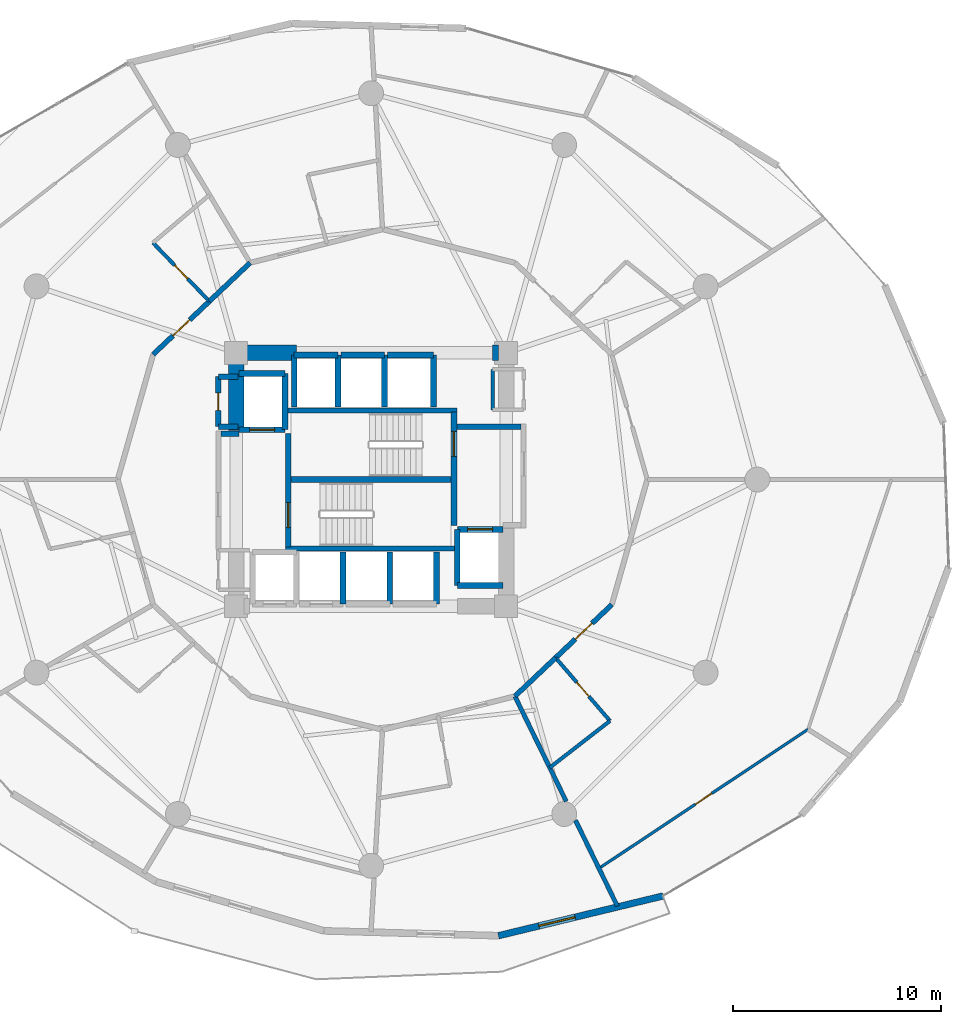
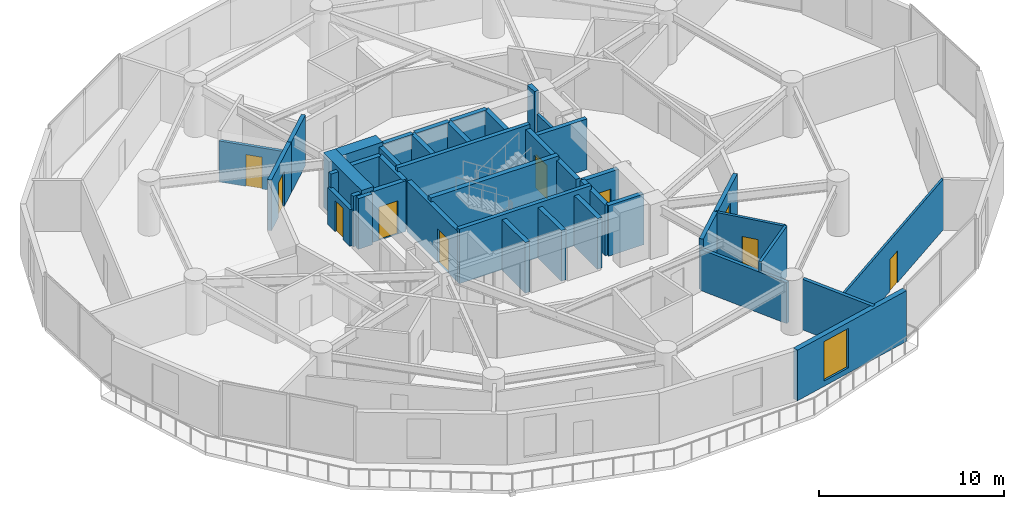
# One storey, part 18 of 23: 41 walls, 10 doors, 1 window, 11 openings.
"""IFC4 building model written with IfcOpenShell, lengths in metres."""

from ifc_helpers import new_model, si_unit, direction, frame, frame_2d, origin, place, context, subcontext, project, spatial, rectangle, extrude, material, layer, layer_set, type_object, element, fill, save


model = new_model("IFC4")

# Units and contexts
model_context = context("Model", 3, precision=1e-05, world=origin(), true_north=direction((0.0, 1.0)))
body_context = subcontext(model_context, "Body", "Model", "MODEL_VIEW")
ifc_project = project(units=[si_unit("LENGTHUNIT", "METRE"), si_unit("AREAUNIT", "SQUARE_METRE"), si_unit("VOLUMEUNIT", "CUBIC_METRE"), si_unit("PLANEANGLEUNIT", "RADIAN"), si_unit("MASSUNIT", "GRAM", prefix="KILO")], contexts=[model_context])

# Site, building, storey
site_placement = place(None, origin())
site = spatial("IfcSite", under=ifc_project, at=site_placement, CompositionType="ELEMENT")
building_placement = place(site_placement, origin())
building = spatial("IfcBuilding", under=site, at=building_placement, Name="Solvirekh Grand Hotel", CompositionType="ELEMENT")
storey_placement = place(building_placement, frame((0.0, 0.0, 42.800048828125)))
storey = spatial("IfcBuildingStorey", under=building, at=storey_placement, Name="L09", CompositionType="ELEMENT", Elevation=42.800048828125)

# Walls
ifc_material_1 = material(Name="Concrete C50/60", Category="concrete")
ifc_layer_1 = layer(ifc_material_1, 0.35009765625)
ifc_layer_set_1 = layer_set([ifc_layer_1], Name="Concrete C50/60")
wall_type_1 = type_object("IfcWallType", Name="CoreDivWall_RC350", PredefinedType="SOLIDWALL", material=ifc_layer_set_1)
for number, where, z_axis, x_axis, name in (
    (1, (-4.1298828125, -3.324951171875, 0.0), (0.0, 0.0, 1.0), (1.0, 0.0, 0.0), "L09 core stair box wall ST-S"),
    (2, (-4.1298828125, 3.324951171875, 0.0), (0.0, 0.0, 1.0), (1.0, 0.0, 0.0), "L09 core stair box wall ST-N"),
):
    element("IfcWall", number, at=place(storey_placement, frame(where, z_axis=z_axis, x_axis=x_axis)), inside=storey, type_object=wall_type_1, Name=name, PredefinedType="SOLIDWALL", context=body_context, shape_type="SweptSolid", body=[
        extrude(rectangle(XDim=8.259765625, YDim=0.25, at=frame_2d((4.1298828125, 0.0))), origin(), (0.0, 0.0, 1.0), 3.599853515625),
    ])
ifc_material_2 = material(Name="Concrete C40/50", Category="concrete")
ifc_layer_2 = layer(ifc_material_2, 0.280029296875)
ifc_layer_set_2 = layer_set([ifc_layer_2], Name="Concrete C40/50")
wall_type_2 = type_object("IfcWallType", Name="CoreShaftWall_RC280", PredefinedType="SOLIDWALL", material=ifc_layer_set_2)
for number, where, z_axis, x_axis, name in (
    (3, (-1.35009765625, -6.0, 0.0), (0.0, 0.0, 1.0), (0.0, 1.0, 0.0), "L09 LP-2 hoistway E wall"),
    (4, (0.89990234375, -6.0, 0.0), (0.0, 0.0, 1.0), (0.0, 1.0, 0.0), "L09 MP-1 hoistway E wall"),
    (5, (3.14990234375, -6.0, 0.0), (0.0, 0.0, 1.0), (0.0, 1.0, 0.0), "L09 MP-2 hoistway E wall"),
):
    element("IfcWall", number, at=place(storey_placement, frame(where, z_axis=z_axis, x_axis=x_axis)), inside=storey, type_object=wall_type_2, Name=name, PredefinedType="SOLIDWALL", context=body_context, shape_type="SweptSolid", body=[
        extrude(rectangle(XDim=2.5, YDim=0.280029296875, at=frame_2d((1.25, 0.0))), origin(), (0.0, 0.0, 1.0), 3.33984375),
    ])
wall_1_placement = place(storey_placement, frame((-1.60009765625, 6.0, 0.0), z_axis=(0.0, 0.0, 1.0), x_axis=(-1.0, 0.0, 0.0)))
element("IfcWall", 6, at=wall_1_placement, inside=storey, type_object=wall_type_2, Name="L09 HP-1 hoistway N wall", PredefinedType="SOLIDWALL", context=body_context, shape_type="SweptSolid", body=[
    extrude(rectangle(XDim=2.099853515625, YDim=0.280029296875, at=frame_2d((1.0498046875, 0.0))), origin(), (0.0, 0.0, 1.0), 3.33984375),
])
for number, where, z_axis, x_axis, name in (
    (7, (-3.699951171875, 6.0, 0.0), (0.0, 0.0, 1.0), (0.0, -1.0, 0.0), "L09 HP-1 hoistway W wall"),
    (8, (-1.60009765625, 3.5, 0.0), (0.0, 0.0, 1.0), (0.0, 1.0, 0.0), "L09 HP-1 hoistway E wall"),
):
    element("IfcWall", number, at=place(storey_placement, frame(where, z_axis=z_axis, x_axis=x_axis)), inside=storey, type_object=wall_type_2, Name=name, PredefinedType="SOLIDWALL", context=body_context, shape_type="SweptSolid", body=[
        extrude(rectangle(XDim=2.5, YDim=0.280029296875, at=frame_2d((1.25, 0.0))), origin(), (0.0, 0.0, 1.0), 3.33984375),
    ])
wall_2_placement = place(storey_placement, frame((0.64990234375, 6.0, 0.0), z_axis=(0.0, 0.0, 1.0), x_axis=(-1.0, 0.0, 0.0)))
element("IfcWall", 9, at=wall_2_placement, inside=storey, type_object=wall_type_2, Name="L09 HP-2 hoistway N wall", PredefinedType="SOLIDWALL", context=body_context, shape_type="SweptSolid", body=[
    extrude(rectangle(XDim=2.099853515625, YDim=0.280029296875, at=frame_2d((1.0498046875, 0.0))), origin(), (0.0, 0.0, 1.0), 3.33984375),
])
wall_3_placement = place(storey_placement, frame((0.64990234375, 3.5, 0.0), z_axis=(0.0, 0.0, 1.0), x_axis=(0.0, 1.0, 0.0)))
element("IfcWall", 10, at=wall_3_placement, inside=storey, type_object=wall_type_2, Name="L09 HP-2 hoistway E wall", PredefinedType="SOLIDWALL", context=body_context, shape_type="SweptSolid", body=[
    extrude(rectangle(XDim=2.5, YDim=0.280029296875, at=frame_2d((1.25, 0.0))), origin(), (0.0, 0.0, 1.0), 3.33984375),
])
wall_4_placement = place(storey_placement, frame((3.0, 6.0, 0.0), z_axis=(0.0, 0.0, 1.0), x_axis=(-1.0, 0.0, 0.0)))
element("IfcWall", 11, at=wall_4_placement, inside=storey, type_object=wall_type_2, Name="L09 EX-1 hoistway N wall", PredefinedType="SOLIDWALL", context=body_context, shape_type="SweptSolid", body=[
    extrude(rectangle(XDim=2.199951171875, YDim=0.280029296875, at=frame_2d((1.10009765625, 0.0))), origin(), (0.0, 0.0, 1.0), 3.33984375),
])
wall_5_placement = place(storey_placement, frame((3.0, 3.5, 0.0), z_axis=(0.0, 0.0, 1.0), x_axis=(0.0, 1.0, 0.0)))
element("IfcWall", 12, at=wall_5_placement, inside=storey, type_object=wall_type_2, Name="L09 EX-1 hoistway E wall", PredefinedType="SOLIDWALL", context=body_context, shape_type="SweptSolid", body=[
    extrude(rectangle(XDim=2.5, YDim=0.280029296875, at=frame_2d((1.25, 0.0))), origin(), (0.0, 0.0, 1.0), 3.33984375),
])

# Wall, opening, door
wall_6_placement = place(storey_placement, frame((-6.35009765625, 2.39990234375, 0.0), z_axis=(0.0, 0.0, 1.0), x_axis=(1.0, 0.0, 0.0)))
wall_6 = element("IfcWall", 13, at=wall_6_placement, inside=storey, type_object=wall_type_2, Name="L09 FL-1 hoistway S wall", PredefinedType="SOLIDWALL", context=body_context, shape_type="SweptSolid", body=[
    extrude(rectangle(XDim=2.2001953125, YDim=0.280029296875, at=frame_2d((1.10009765625, 0.0))), origin(), (0.0, 0.0, 1.0), 3.33984375),
])
opening_1_placement = place(wall_6_placement, frame((0.5, 0.0, 0.0)))
opening_1 = element("IfcOpeningElement", 14, at=opening_1_placement, cuts=wall_6, Name="Opening LD02", PredefinedType="OPENING", context=body_context, shape_type="SweptSolid", body=[
    extrude(rectangle(XDim=1.199951171875, YDim=2.199951171875, at=frame_2d((0.60009765625, 1.10009765625))), frame((0.0, 0.14990234375, 0.0), z_axis=(0.0, -1.0, 0.0), x_axis=(1.0, 0.0, 0.0)), (0.0, 0.0, 1.0), 0.300048828125),
])
ifc_material_3 = material(Name="Fire-Rated Steel Door Assembly", Category="steel")
door_type_1 = type_object("IfcDoorType", Name="Door_LiftFF_1200X2200", OperationType="SLIDING_TO_LEFT", PredefinedType="DOOR", material=ifc_material_3)
door_1_placement = place(opening_1_placement, origin())
door_1 = element("IfcDoor", 15, at=door_1_placement, inside=storey, type_object=door_type_1, Name="L09 FL-1 sliding lift landing door", OperationType="SLIDING_TO_LEFT", OverallHeight=2.199951171875, OverallWidth=1.199951171875, PredefinedType="DOOR", context=body_context, shape_type="SweptSolid", body=[
    extrude(rectangle(XDim=1.199951171875, YDim=2.199951171875, at=frame_2d((0.60009765625, 1.10009765625))), frame((0.0, 0.02490234375, 0.0), z_axis=(0.0, -1.0, 0.0), x_axis=(1.0, 0.0, 0.0)), (0.0, 0.0, 1.0), 0.050048828125),
])
fill(opening_1, door_1)

# Walls
wall_7_placement = place(storey_placement, frame((-4.14990234375, 5.10009765625, 0.0), z_axis=(0.0, 0.0, 1.0), x_axis=(-1.0, 0.0, 0.0)))
element("IfcWall", 16, at=wall_7_placement, inside=storey, type_object=wall_type_2, Name="L09 FL-1 hoistway N wall", PredefinedType="SOLIDWALL", context=body_context, shape_type="SweptSolid", body=[
    extrude(rectangle(XDim=2.2001953125, YDim=0.280029296875, at=frame_2d((1.10009765625, 0.0))), origin(), (0.0, 0.0, 1.0), 3.33984375),
])
wall_8_placement = place(storey_placement, frame((-4.14990234375, 2.39990234375, 0.0), z_axis=(0.0, 0.0, 1.0), x_axis=(0.0, 1.0, 0.0)))
element("IfcWall", 17, at=wall_8_placement, inside=storey, type_object=wall_type_2, Name="L09 FL-1 hoistway E wall", PredefinedType="SOLIDWALL", context=body_context, shape_type="SweptSolid", body=[
    extrude(rectangle(XDim=2.7001953125, YDim=0.280029296875, at=frame_2d((1.35009765625, 0.0))), origin(), (0.0, 0.0, 1.0), 3.33984375),
])
wall_9_placement = place(storey_placement, frame((4.14990234375, -5.10009765625, 0.0), z_axis=(0.0, 0.0, 1.0), x_axis=(1.0, 0.0, 0.0)))
element("IfcWall", 18, at=wall_9_placement, inside=storey, type_object=wall_type_2, Name="L09 FL-2 hoistway S wall", PredefinedType="SOLIDWALL", context=body_context, shape_type="SweptSolid", body=[
    extrude(rectangle(XDim=2.2001953125, YDim=0.280029296875, at=frame_2d((1.10009765625, 0.0))), origin(), (0.0, 0.0, 1.0), 3.33984375),
])

# Wall, opening, door
wall_10_placement = place(storey_placement, frame((6.35009765625, -2.39990234375, 0.0), z_axis=(0.0, 0.0, 1.0), x_axis=(-1.0, 0.0, 0.0)))
wall_10 = element("IfcWall", 19, at=wall_10_placement, inside=storey, type_object=wall_type_2, Name="L09 FL-2 hoistway N wall", PredefinedType="SOLIDWALL", context=body_context, shape_type="SweptSolid", body=[
    extrude(rectangle(XDim=2.2001953125, YDim=0.280029296875, at=frame_2d((1.10009765625, 0.0))), origin(), (0.0, 0.0, 1.0), 3.33984375),
])
opening_2_placement = place(wall_10_placement, frame((0.5, 0.0, 0.0)))
opening_2 = element("IfcOpeningElement", 20, at=opening_2_placement, cuts=wall_10, Name="Opening LD02", PredefinedType="OPENING", context=body_context, shape_type="SweptSolid", body=[
    extrude(rectangle(XDim=1.199951171875, YDim=2.199951171875, at=frame_2d((0.60009765625, 1.10009765625))), frame((0.0, 0.14990234375, 0.0), z_axis=(0.0, -1.0, 0.0), x_axis=(1.0, 0.0, 0.0)), (0.0, 0.0, 1.0), 0.300048828125),
])
door_2_placement = place(opening_2_placement, origin())
door_2 = element("IfcDoor", 21, at=door_2_placement, inside=storey, type_object=door_type_1, Name="L09 FL-2 sliding lift landing door", OperationType="SLIDING_TO_LEFT", OverallHeight=2.199951171875, OverallWidth=1.199951171875, PredefinedType="DOOR", context=body_context, shape_type="SweptSolid", body=[
    extrude(rectangle(XDim=1.199951171875, YDim=2.199951171875, at=frame_2d((0.60009765625, 1.10009765625))), frame((0.0, 0.02490234375, 0.0), z_axis=(0.0, -1.0, 0.0), x_axis=(1.0, 0.0, 0.0)), (0.0, 0.0, 1.0), 0.050048828125),
])
fill(opening_2, door_2)

# Wall
wall_11_placement = place(storey_placement, frame((4.14990234375, -2.39990234375, 0.0), z_axis=(0.0, 0.0, 1.0), x_axis=(0.0, -1.0, 0.0)))
element("IfcWall", 22, at=wall_11_placement, inside=storey, type_object=wall_type_2, Name="L09 FL-2 hoistway W wall", PredefinedType="SOLIDWALL", context=body_context, shape_type="SweptSolid", body=[
    extrude(rectangle(XDim=2.7001953125, YDim=0.280029296875, at=frame_2d((1.35009765625, 0.0))), origin(), (0.0, 0.0, 1.0), 3.33984375),
])

# Wall, opening, door
wall_12_placement = place(storey_placement, frame((-3.989990234375, -3.25, 0.0), z_axis=(0.0, 0.0, 1.0), x_axis=(0.0, 1.0, 0.0)))
wall_12 = element("IfcWall", 23, at=wall_12_placement, inside=storey, type_object=wall_type_2, Name="L09 west stair landing enclosure wall", PredefinedType="SOLIDWALL", context=body_context, shape_type="SweptSolid", body=[
    extrude(rectangle(XDim=5.4599609375, YDim=0.280029296875, at=frame_2d((2.72998046875, 0.0))), origin(), (0.0, 0.0, 1.0), 3.33984375),
])
opening_3_placement = place(wall_12_placement, frame((0.93701171875, 0.0, 0.0)))
opening_3 = element("IfcOpeningElement", 24, at=opening_3_placement, cuts=wall_12, Name="Opening D05", PredefinedType="OPENING", context=body_context, shape_type="SweptSolid", body=[
    extrude(rectangle(XDim=1.199951171875, YDim=2.199951171875, at=frame_2d((0.60009765625, 1.10009765625))), frame((0.0, 0.14990234375, 0.0), z_axis=(0.0, -1.0, 0.0), x_axis=(1.0, 0.0, 0.0)), (0.0, 0.0, 1.0), 0.300048828125),
])
door_type_2 = type_object("IfcDoorType", Name="Door_StairCore_1200X2200", OperationType="NOTDEFINED", PredefinedType="DOOR", material=ifc_material_3)
door_3_placement = place(opening_3_placement, origin())
door_3 = element("IfcDoor", 25, at=door_3_placement, inside=storey, type_object=door_type_2, Name="L09 exit stair ST-1 fire door", OperationType="SINGLE_SWING_RIGHT", OverallHeight=2.199951171875, OverallWidth=1.199951171875, PredefinedType="DOOR", context=body_context, shape_type="SweptSolid", body=[
    extrude(rectangle(XDim=1.199951171875, YDim=2.199951171875, at=frame_2d((0.60009765625, 1.10009765625))), frame((0.0, 0.02490234375, 0.0), z_axis=(0.0, -1.0, 0.0), x_axis=(1.0, 0.0, 0.0)), (0.0, 0.0, 1.0), 0.050048828125),
])
fill(opening_3, door_3)

wall_13_placement = place(storey_placement, frame((3.989990234375, -2.2099609375, 0.0), z_axis=(0.0, 0.0, 1.0), x_axis=(0.0, 1.0, 0.0)))
wall_13 = element("IfcWall", 26, at=wall_13_placement, inside=storey, type_object=wall_type_2, Name="L09 east stair landing enclosure wall", PredefinedType="SOLIDWALL", context=body_context, shape_type="SweptSolid", body=[
    extrude(rectangle(XDim=5.4599609375, YDim=0.280029296875, at=frame_2d((2.72998046875, 0.0))), origin(), (0.0, 0.0, 1.0), 3.33984375),
])
opening_4_placement = place(wall_13_placement, frame((3.322998046875, 0.0, 0.0)))
opening_4 = element("IfcOpeningElement", 27, at=opening_4_placement, cuts=wall_13, Name="Opening D05", PredefinedType="OPENING", context=body_context, shape_type="SweptSolid", body=[
    extrude(rectangle(XDim=1.199951171875, YDim=2.199951171875, at=frame_2d((0.60009765625, 1.10009765625))), frame((0.0, 0.14990234375, 0.0), z_axis=(0.0, -1.0, 0.0), x_axis=(1.0, 0.0, 0.0)), (0.0, 0.0, 1.0), 0.300048828125),
])
door_4_placement = place(opening_4_placement, origin())
door_4 = element("IfcDoor", 28, at=door_4_placement, inside=storey, type_object=door_type_2, Name="L09 exit stair ST-2 fire door", OperationType="SINGLE_SWING_LEFT", OverallHeight=2.199951171875, OverallWidth=1.199951171875, PredefinedType="DOOR", context=body_context, shape_type="SweptSolid", body=[
    extrude(rectangle(XDim=1.199951171875, YDim=2.199951171875, at=frame_2d((0.60009765625, 1.10009765625))), frame((0.0, 0.02490234375, 0.0), z_axis=(0.0, -1.0, 0.0), x_axis=(1.0, 0.0, 0.0)), (0.0, 0.0, 1.0), 0.050048828125),
])
fill(opening_4, door_4)

# Walls
ifc_material_4 = material(Name="Concrete C60/75", Category="concrete")
ifc_layer_3 = layer(ifc_material_4, 0.75)
ifc_layer_set_3 = layer_set([ifc_layer_3], Name="Concrete C60/75")
wall_type_3 = type_object("IfcWallType", Name="CoreWall_RC750", PredefinedType="SHEAR", material=ifc_layer_set_3)
wall_14_placement = place(storey_placement, frame((-3.989990234375, 0.0, 0.0), z_axis=(0.0, 0.0, 1.0), x_axis=(1.0, 0.0, 0.0)))
element("IfcWall", 29, at=wall_14_placement, inside=storey, type_object=wall_type_3, Name="L09 central stair-spine shear wall", PredefinedType="SHEAR", context=body_context, shape_type="SweptSolid", body=[
    extrude(rectangle(XDim=7.97998046875, YDim=0.300048828125, at=frame_2d((3.989990234375, 0.0))), origin(), (0.0, 0.0, 1.0), 3.599853515625),
])
wall_15_placement = place(storey_placement, frame((-6.125, 6.10009765625, 0.0), z_axis=(0.0, 0.0, 1.0), x_axis=(1.0, 0.0, 0.0)))
element("IfcWall", 30, at=wall_15_placement, inside=storey, type_object=wall_type_3, Name="L09 core corner shear wall NW-N", PredefinedType="SHEAR", context=body_context, shape_type="SweptSolid", body=[
    extrude(rectangle(XDim=2.52490234375, YDim=0.75, at=frame_2d((1.262451171875, 0.0))), origin(), (0.0, 0.0, 1.0), 3.599853515625),
])
wall_16_placement = place(storey_placement, frame((5.85009765625, 6.10009765625, 0.0), z_axis=(0.0, 0.0, 1.0), x_axis=(1.0, 0.0, 0.0)))
element("IfcWall", 31, at=wall_16_placement, inside=storey, type_object=wall_type_3, Name="L09 core corner shear wall NE-N", PredefinedType="SHEAR", context=body_context, shape_type="SweptSolid", body=[
    extrude(rectangle(XDim=0.27490234375, YDim=0.75, at=frame_2d((0.137451171875, 0.0))), origin(), (0.0, 0.0, 1.0), 3.599853515625),
])
wall_17_placement = place(storey_placement, frame((-6.5, 2.35009765625, 0.0), z_axis=(0.0, 0.0, 1.0), x_axis=(0.0, 1.0, 0.0)))
element("IfcWall", 32, at=wall_17_placement, inside=storey, type_object=wall_type_3, Name="L09 core corner shear wall WN-W", PredefinedType="SHEAR", context=body_context, shape_type="SweptSolid", body=[
    extrude(rectangle(XDim=4.125, YDim=0.75, at=frame_2d((2.0625, 0.0))), origin(), (0.0, 0.0, 1.0), 3.599853515625),
])

# Wall, opening, window
ifc_material_5 = material(Name="Precast concrete C45/55", Category="concrete")
ifc_layer_4 = layer(ifc_material_5, 0.320068359375)
ifc_layer_set_4 = layer_set([ifc_layer_4], Name="Precast concrete C45/55")
wall_type_4 = type_object("IfcWallType", Name="ExtLobbyWall_RC320", PredefinedType="SOLIDWALL", material=ifc_layer_set_4)
wall_18_placement = place(storey_placement, frame((14.054931640625, -20.052978515625, 0.0), z_axis=(0.0, 0.0, 1.0), x_axis=(-0.97202940664, -0.234859176161, 0.0)))
wall_18 = element("IfcWall", 33, at=wall_18_placement, inside=storey, type_object=wall_type_4, Name="L09 exterior structural wall chord 17", PredefinedType="SOLIDWALL", context=body_context, shape_type="SweptSolid", body=[
    extrude(rectangle(XDim=8.14990234375, YDim=0.320068359375, at=frame_2d((4.074951171875, 0.0))), origin(), (0.0, 0.0, 1.0), 3.33984375),
])
opening_5_placement = place(wall_18_placement, frame((4.34912109375, 0.0, 0.35009765625)))
opening_5 = element("IfcOpeningElement", 34, at=opening_5_placement, cuts=wall_18, Name="Opening W02", PredefinedType="OPENING", context=body_context, shape_type="SweptSolid", body=[
    extrude(rectangle(XDim=1.800048828125, YDim=2.60009765625, at=frame_2d((0.89990234375, 1.300048828125))), frame((0.0, 0.169921875, 0.0), z_axis=(0.0, -1.0, 0.0), x_axis=(1.0, 0.0, 0.0)), (0.0, 0.0, 1.0), 0.340087890625),
])
ifc_material_6 = material(Name="Low-E Tinted Bronze Laminated Glass", Category="aluminium")
window_type = type_object("IfcWindowType", Name="Win_LobbyExt_1800X2600", PartitioningType="SINGLE_PANEL", PredefinedType="WINDOW", material=ifc_material_6)
window_placement = place(opening_5_placement, origin())
window = element("IfcWindow", 35, at=window_placement, inside=storey, type_object=window_type, Name="L09 panoramic bronze-framed window 17", OverallHeight=2.60009765625, OverallWidth=1.800048828125, PartitioningType="SINGLE_PANEL", PredefinedType="WINDOW", context=body_context, shape_type="SweptSolid", body=[
    extrude(rectangle(XDim=1.800048828125, YDim=2.60009765625, at=frame_2d((0.89990234375, 1.300048828125))), frame((0.0, 0.030029296875, 0.0), z_axis=(0.0, -1.0, 0.0), x_axis=(1.0, 0.0, 0.0)), (0.0, 0.0, 1.0), 0.06005859375),
])
fill(opening_5, window)

# Walls
ifc_material_7 = material(Name="Acoustic Gypsum Partition Assembly")
ifc_layer_5 = layer(ifc_material_7, 0.1650390625)
ifc_layer_set_5 = layer_set([ifc_layer_5], Name="Acoustic Gypsum Partition Assembly")
wall_type_5 = type_object("IfcWallType", Name="Part_BOH_165", PredefinedType="PARTITIONING", material=ifc_layer_set_5)
wall_19_placement = place(storey_placement, frame((5.85009765625, 5.300048828125, 0.0), z_axis=(0.0, 0.0, 1.0), x_axis=(0.0, -1.0, 0.0)))
element("IfcWall", 36, at=wall_19_placement, inside=storey, type_object=wall_type_5, Name="L09 L09 Core Housekeeping Room wall 4", PredefinedType="PARTITIONING", context=body_context, shape_type="SweptSolid", body=[
    extrude(rectangle(XDim=1.949951171875, YDim=0.1650390625, at=frame_2d((0.97509765625, 0.0))), origin(), (0.0, 0.0, 1.0), 2.425048828125),
])
ifc_layer_6 = layer(ifc_material_7, 0.239990234375)
ifc_layer_set_6 = layer_set([ifc_layer_6], Name="Acoustic Gypsum Partition Assembly")
wall_type_6 = type_object("IfcWallType", Name="Part_Corridor_240", PredefinedType="PARTITIONING", material=ifc_layer_set_6)
wall_20_placement = place(storey_placement, frame((-5.824951171875, 10.43603515625, 0.0), z_axis=(0.0, 0.0, 1.0), x_axis=(-0.726651583854, -0.687006168591, 0.0)))
element("IfcWall", 37, at=wall_20_placement, inside=storey, type_object=wall_type_6, Name="L09 En-suite Bathroom 1103 corridor backing wall", PredefinedType="PARTITIONING", context=body_context, shape_type="SweptSolid", body=[
    extrude(rectangle(XDim=2.697265625, YDim=0.239990234375, at=frame_2d((1.3486328125, 0.0))), origin(), (0.0, 0.0, 1.0), 3.33984375),
])

# Wall, opening, door
wall_21_placement = place(storey_placement, frame((-7.784912109375, 8.5830078125, 0.0), z_axis=(0.0, 0.0, 1.0), x_axis=(-0.726816794063, -0.686831382413, 0.0)))
wall_21 = element("IfcWall", 38, at=wall_21_placement, inside=storey, type_object=wall_type_6, Name="L09 Executive Suite 1103 Living Room entrance wall", PredefinedType="PARTITIONING", context=body_context, shape_type="SweptSolid", body=[
    extrude(rectangle(XDim=3.724609375, YDim=0.239990234375, at=frame_2d((1.8623046875, 0.0))), origin(), (0.0, 0.0, 1.0), 3.33984375),
])
opening_6_placement = place(wall_21_placement, frame((1.31201171875, 0.0, 0.0)))
opening_6 = element("IfcOpeningElement", 39, at=opening_6_placement, cuts=wall_21, Name="Opening D08", PredefinedType="OPENING", context=body_context, shape_type="SweptSolid", body=[
    extrude(rectangle(XDim=1.10009765625, YDim=2.300048828125, at=frame_2d((0.550048828125, 1.14990234375))), frame((0.0, 0.1298828125, 0.0), z_axis=(0.0, -1.0, 0.0), x_axis=(1.0, 0.0, 0.0)), (0.0, 0.0, 1.0), 0.260009765625),
])
door_type_3 = type_object("IfcDoorType", Name="Door_SuiteEntry_1100X2300", OperationType="NOTDEFINED", PredefinedType="DOOR", material=ifc_material_3)
door_5_placement = place(opening_6_placement, origin())
door_5 = element("IfcDoor", 40, at=door_5_placement, inside=storey, type_object=door_type_3, Name="L09 Executive Suite 1103 Living Room entrance door", OperationType="SINGLE_SWING_RIGHT", OverallHeight=2.300048828125, OverallWidth=1.10009765625, PredefinedType="DOOR", context=body_context, shape_type="SweptSolid", body=[
    extrude(rectangle(XDim=1.10009765625, YDim=2.300048828125, at=frame_2d((0.550048828125, 1.14990234375))), frame((0.0, 0.02490234375, 0.0), z_axis=(0.0, -1.0, 0.0), x_axis=(1.0, 0.0, 0.0)), (0.0, 0.0, 1.0), 0.050048828125),
])
fill(opening_6, door_5)

# Wall
wall_22_placement = place(storey_placement, frame((6.925048828125, -10.43603515625, 0.0), z_axis=(0.0, 0.0, 1.0), x_axis=(0.726651583854, 0.687006168591, 0.0)))
element("IfcWall", 41, at=wall_22_placement, inside=storey, type_object=wall_type_6, Name="L09 En-suite Bathroom 1107 corridor backing wall", PredefinedType="PARTITIONING", context=body_context, shape_type="SweptSolid", body=[
    extrude(rectangle(XDim=2.697265625, YDim=0.239990234375, at=frame_2d((1.3486328125, 0.0))), origin(), (0.0, 0.0, 1.0), 3.33984375),
])

# Wall, opening, door
wall_23_placement = place(storey_placement, frame((8.885009765625, -8.5830078125, 0.0), z_axis=(0.0, 0.0, 1.0), x_axis=(0.726816794063, 0.686831382413, 0.0)))
wall_23 = element("IfcWall", 42, at=wall_23_placement, inside=storey, type_object=wall_type_6, Name="L09 Executive Suite 1107 Living Room entrance wall", PredefinedType="PARTITIONING", context=body_context, shape_type="SweptSolid", body=[
    extrude(rectangle(XDim=3.724609375, YDim=0.239990234375, at=frame_2d((1.8623046875, 0.0))), origin(), (0.0, 0.0, 1.0), 3.33984375),
])
opening_7_placement = place(wall_23_placement, frame((1.31201171875, 0.0, 0.0)))
opening_7 = element("IfcOpeningElement", 43, at=opening_7_placement, cuts=wall_23, Name="Opening D08", PredefinedType="OPENING", context=body_context, shape_type="SweptSolid", body=[
    extrude(rectangle(XDim=1.10009765625, YDim=2.300048828125, at=frame_2d((0.550048828125, 1.14990234375))), frame((0.0, 0.1298828125, 0.0), z_axis=(0.0, -1.0, 0.0), x_axis=(1.0, 0.0, 0.0)), (0.0, 0.0, 1.0), 0.260009765625),
])
door_6_placement = place(opening_7_placement, origin())
door_6 = element("IfcDoor", 44, at=door_6_placement, inside=storey, type_object=door_type_3, Name="L09 Executive Suite 1107 Living Room entrance door", OperationType="SINGLE_SWING_RIGHT", OverallHeight=2.300048828125, OverallWidth=1.10009765625, PredefinedType="DOOR", context=body_context, shape_type="SweptSolid", body=[
    extrude(rectangle(XDim=1.10009765625, YDim=2.300048828125, at=frame_2d((0.550048828125, 1.14990234375))), frame((0.0, 0.02490234375, 0.0), z_axis=(0.0, -1.0, 0.0), x_axis=(1.0, 0.0, 0.0)), (0.0, 0.0, 1.0), 0.050048828125),
])
fill(opening_7, door_6)

# Walls
ifc_layer_7 = layer(ifc_material_7, 0.260009765625)
ifc_layer_set_7 = layer_set([ifc_layer_7], Name="Acoustic Gypsum Partition Assembly")
wall_type_7 = type_object("IfcWallType", Name="Part_LobbyFF_260", PredefinedType="PARTITIONING", material=ifc_layer_set_7)
wall_24_placement = place(storey_placement, frame((-7.22509765625, 2.2099609375, 0.0), z_axis=(0.0, 0.0, 1.0), x_axis=(1.0, 0.0, 0.0)))
element("IfcWall", 45, at=wall_24_placement, inside=storey, type_object=wall_type_7, Name="L09 west firefighting lobby NW cheek", PredefinedType="PARTITIONING", context=body_context, shape_type="SweptSolid", body=[
    extrude(rectangle(XDim=0.875, YDim=0.260009765625, at=frame_2d((0.4375, 0.0))), origin(), (0.0, 0.0, 1.0), 3.33984375),
])
wall_25_placement = place(storey_placement, frame((4.1298828125, 2.550048828125, 0.0), z_axis=(0.0, 0.0, 1.0), x_axis=(1.0, 0.0, 0.0)))
element("IfcWall", 46, at=wall_25_placement, inside=storey, type_object=wall_type_7, Name="L09 east firefighting lobby north partition", PredefinedType="PARTITIONING", context=body_context, shape_type="SweptSolid", body=[
    extrude(rectangle(XDim=3.09521484375, YDim=0.260009765625, at=frame_2d((1.547607421875, 0.0))), origin(), (0.0, 0.0, 1.0), 3.33984375),
])
for number, where, z_axis, x_axis, name in (
    (47, (-7.35009765625, 4.949951171875, 0.0), (0.0, 0.0, 1.0), (1.0, 0.0, 0.0), "L09 NW telecom metering cupboard north wall"),
    (48, (-7.35009765625, 2.550048828125, 0.0), (0.0, 0.0, 1.0), (1.0, 0.0, 0.0), "L09 NW telecom metering cupboard south wall"),
):
    element("IfcWall", number, at=place(storey_placement, frame(where, z_axis=z_axis, x_axis=x_axis)), inside=storey, type_object=wall_type_7, Name=name, PredefinedType="PARTITIONING", context=body_context, shape_type="SweptSolid", body=[
        extrude(rectangle(XDim=0.93017578125, YDim=0.260009765625, at=frame_2d((0.465087890625, 0.0))), origin(), (0.0, 0.0, 1.0), 3.33984375),
    ])

# Wall, opening, door
wall_26_placement = place(storey_placement, frame((-7.35009765625, 2.550048828125, 0.0), z_axis=(0.0, 0.0, 1.0), x_axis=(0.0, 1.0, 0.0)))
wall_26 = element("IfcWall", 49, at=wall_26_placement, inside=storey, type_object=wall_type_7, Name="L09 NW telecom metering cupboard access wall", PredefinedType="PARTITIONING", context=body_context, shape_type="SweptSolid", body=[
    extrude(rectangle(XDim=2.39990234375, YDim=0.260009765625, at=frame_2d((1.199951171875, 0.0))), origin(), (0.0, 0.0, 1.0), 2.425048828125),
])
opening_8_placement = place(wall_26_placement, frame((0.77490234375, 0.0, 0.0)))
opening_8 = element("IfcOpeningElement", 50, at=opening_8_placement, cuts=wall_26, Name="Opening D13", PredefinedType="OPENING", context=body_context, shape_type="SweptSolid", body=[
    extrude(rectangle(XDim=0.85009765625, YDim=2.050048828125, at=frame_2d((0.425048828125, 1.02490234375))), frame((0.0, 0.14013671875, 0.0), z_axis=(0.0, -1.0, 0.0), x_axis=(1.0, 0.0, 0.0)), (0.0, 0.0, 1.0), 0.280029296875),
])
door_type_4 = type_object("IfcDoorType", Name="Door_RiserShaft_850X2050", OperationType="NOTDEFINED", PredefinedType="DOOR", material=ifc_material_3)
door_7_placement = place(opening_8_placement, origin())
door_7 = element("IfcDoor", 51, at=door_7_placement, inside=storey, type_object=door_type_4, Name="L09 telecom metering cupboard access door", OperationType="SINGLE_SWING_RIGHT", OverallHeight=2.050048828125, OverallWidth=0.85009765625, PredefinedType="DOOR", context=body_context, shape_type="SweptSolid", body=[
    extrude(rectangle(XDim=0.85009765625, YDim=2.050048828125, at=frame_2d((0.425048828125, 1.02490234375))), frame((0.0, 0.02490234375, 0.0), z_axis=(0.0, -1.0, 0.0), x_axis=(1.0, 0.0, 0.0)), (0.0, 0.0, 1.0), 0.050048828125),
])
fill(opening_8, door_7)

ifc_layer_8 = layer(ifc_material_7, 0.135009765625)
ifc_layer_set_8 = layer_set([ifc_layer_8], Name="Acoustic Gypsum Partition Assembly")
wall_type_8 = type_object("IfcWallType", Name="Part_RoomInt_135", PredefinedType="PARTITIONING", material=ifc_layer_set_8)
wall_27_placement = place(storey_placement, frame((10.972900390625, -18.72509765625, 0.0), z_axis=(0.0, 0.0, 1.0), x_axis=(0.832711261184, 0.553707463827, 0.0)))
wall_27 = element("IfcWall", 52, at=wall_27_placement, inside=storey, type_object=wall_type_8, Name="L09 Executive Suite 1107 Living Room bedroom screen wall", PredefinedType="PARTITIONING", context=body_context, shape_type="SweptSolid", body=[
    extrude(rectangle(XDim=12.093017578125, YDim=0.135009765625, at=frame_2d((6.04638671875, 0.0))), origin(), (0.0, 0.0, 1.0), 3.33984375),
])
opening_9_placement = place(wall_27_placement, frame((5.572021484375, 0.0, 0.0)))
opening_9 = element("IfcOpeningElement", 53, at=opening_9_placement, cuts=wall_27, Name="Opening D10", PredefinedType="OPENING", context=body_context, shape_type="SweptSolid", body=[
    extrude(rectangle(XDim=0.949951171875, YDim=2.10009765625, at=frame_2d((0.47509765625, 1.050048828125))), frame((0.0, 0.07763671875, 0.0), z_axis=(0.0, -1.0, 0.0), x_axis=(1.0, 0.0, 0.0)), (0.0, 0.0, 1.0), 0.155029296875),
])
ifc_material_8 = material(Name="Anodized Bronze Aluminium 6063-T6", Category="aluminium")
door_type_5 = type_object("IfcDoorType", Name="Door_RoomInt_950X2100", OperationType="NOTDEFINED", PredefinedType="DOOR", material=ifc_material_8)
door_8_placement = place(opening_9_placement, origin())
door_8 = element("IfcDoor", 54, at=door_8_placement, inside=storey, type_object=door_type_5, Name="L09 Executive Suite 1107 Living Room master bedroom door", OperationType="SINGLE_SWING_LEFT", OverallHeight=2.10009765625, OverallWidth=0.949951171875, PredefinedType="DOOR", context=body_context, shape_type="SweptSolid", body=[
    extrude(rectangle(XDim=0.949951171875, YDim=2.10009765625, at=frame_2d((0.47509765625, 1.050048828125))), frame((0.0, 0.02490234375, 0.0), z_axis=(0.0, -1.0, 0.0), x_axis=(1.0, 0.0, 0.0)), (0.0, 0.0, 1.0), 0.050048828125),
])
fill(opening_9, door_8)

# Walls
ifc_layer_9 = layer(ifc_material_7, 0.2099609375)
ifc_layer_set_9 = layer_set([ifc_layer_9], Name="Acoustic Gypsum Partition Assembly")
wall_type_9 = type_object("IfcWallType", Name="Part_SuiteDemise_210", PredefinedType="PARTITIONING", material=ifc_layer_set_9)
wall_28_placement = place(storey_placement, frame((6.925048828125, -10.43603515625, 0.0), z_axis=(0.0, 0.0, 1.0), x_axis=(0.438868681405, -0.898551211942, 0.0)))
element("IfcWall", 55, at=wall_28_placement, inside=storey, type_object=wall_type_9, Name="L09 suite radial wall 11 (A)", PredefinedType="PARTITIONING", context=body_context, shape_type="SweptSolid", body=[
    extrude(rectangle(XDim=5.63037109375, YDim=0.2099609375, at=frame_2d((2.815185546875, 0.0))), origin(), (0.0, 0.0, 1.0), 2.7080078125),
])
wall_29_placement = place(storey_placement, frame((9.842041015625, -16.408935546875, 0.0), z_axis=(0.0, 0.0, 1.0), x_axis=(0.438768549371, -0.89860011133, 0.0)))
element("IfcWall", 56, at=wall_29_placement, inside=storey, type_object=wall_type_9, Name="L09 suite radial wall 11 (B)", PredefinedType="PARTITIONING", context=body_context, shape_type="SweptSolid", body=[
    extrude(rectangle(XDim=4.6015625, YDim=0.2099609375, at=frame_2d((2.30078125, 0.0))), origin(), (0.0, 0.0, 1.0), 3.33984375),
])

# Wall, opening, door
ifc_layer_10 = layer(ifc_material_7, 0.175048828125)
ifc_layer_set_10 = layer_set([ifc_layer_10], Name="Acoustic Gypsum Partition Assembly")
wall_type_10 = type_object("IfcWallType", Name="Plumb_Ensuite_175", PredefinedType="PLUMBINGWALL", material=ifc_layer_set_10)
wall_30_placement = place(storey_placement, frame((-7.784912109375, 8.5830078125, 0.0), z_axis=(0.0, 0.0, 1.0), x_axis=(-0.694493235648, 0.71949923255, 0.0)))
wall_30 = element("IfcWall", 57, at=wall_30_placement, inside=storey, type_object=wall_type_10, Name="L09 En-suite Bathroom 1103 entry plumbing wall", PredefinedType="PLUMBINGWALL", context=body_context, shape_type="SweptSolid", body=[
    extrude(rectangle(XDim=3.9150390625, YDim=0.175048828125, at=frame_2d((1.95751953125, 0.0))), origin(), (0.0, 0.0, 1.0), 2.7080078125),
])
opening_10_placement = place(wall_30_placement, frame((1.508056640625, 0.0, 0.0)))
opening_10 = element("IfcOpeningElement", 58, at=opening_10_placement, cuts=wall_30, Name="Opening D09", PredefinedType="OPENING", context=body_context, shape_type="SweptSolid", body=[
    extrude(rectangle(XDim=0.89990234375, YDim=2.10009765625, at=frame_2d((0.449951171875, 1.050048828125))), frame((0.0, 0.09765625, 0.0), z_axis=(0.0, -1.0, 0.0), x_axis=(1.0, 0.0, 0.0)), (0.0, 0.0, 1.0), 0.195068359375),
])
door_type_6 = type_object("IfcDoorType", Name="Door_Ensuite_900X2100", OperationType="NOTDEFINED", PredefinedType="DOOR", material=ifc_material_8)
door_9_placement = place(opening_10_placement, origin())
door_9 = element("IfcDoor", 59, at=door_9_placement, inside=storey, type_object=door_type_6, Name="L09 En-suite Bathroom 1103 door", OperationType="SINGLE_SWING_LEFT", OverallHeight=2.10009765625, OverallWidth=0.89990234375, PredefinedType="DOOR", context=body_context, shape_type="SweptSolid", body=[
    extrude(rectangle(XDim=0.89990234375, YDim=2.10009765625, at=frame_2d((0.449951171875, 1.050048828125))), frame((0.0, 0.02490234375, 0.0), z_axis=(0.0, -1.0, 0.0), x_axis=(1.0, 0.0, 0.0)), (0.0, 0.0, 1.0), 0.050048828125),
])
fill(opening_10, door_9)

# Wall
wall_31_placement = place(storey_placement, frame((8.60302734375, -13.873046875, 0.0), z_axis=(0.0, 0.0, 1.0), x_axis=(0.790046287632, 0.613047195082, 0.0)))
element("IfcWall", 60, at=wall_31_placement, inside=storey, type_object=wall_type_10, Name="L09 En-suite Bathroom 1107 outer plumbing wall", PredefinedType="PLUMBINGWALL", context=body_context, shape_type="SweptSolid", body=[
    extrude(rectangle(XDim=3.671875, YDim=0.175048828125, at=frame_2d((1.8359375, 0.0))), origin(), (0.0, 0.0, 1.0), 3.33984375),
])

# Wall, opening, door
wall_32_placement = place(storey_placement, frame((8.885009765625, -8.5830078125, 0.0), z_axis=(0.0, 0.0, 1.0), x_axis=(0.6527987627, -0.757531369263, 0.0)))
wall_32 = element("IfcWall", 61, at=wall_32_placement, inside=storey, type_object=wall_type_10, Name="L09 En-suite Bathroom 1107 entry plumbing wall", PredefinedType="PLUMBINGWALL", context=body_context, shape_type="SweptSolid", body=[
    extrude(rectangle(XDim=4.01171875, YDim=0.175048828125, at=frame_2d((2.005859375, 0.0))), origin(), (0.0, 0.0, 1.0), 3.33984375),
])
opening_11_placement = place(wall_32_placement, frame((1.555908203125, 0.0, 0.0)))
opening_11 = element("IfcOpeningElement", 62, at=opening_11_placement, cuts=wall_32, Name="Opening D09", PredefinedType="OPENING", context=body_context, shape_type="SweptSolid", body=[
    extrude(rectangle(XDim=0.89990234375, YDim=2.10009765625, at=frame_2d((0.449951171875, 1.050048828125))), frame((0.0, 0.09765625, 0.0), z_axis=(0.0, -1.0, 0.0), x_axis=(1.0, 0.0, 0.0)), (0.0, 0.0, 1.0), 0.195068359375),
])
door_10_placement = place(opening_11_placement, origin())
door_10 = element("IfcDoor", 63, at=door_10_placement, inside=storey, type_object=door_type_6, Name="L09 En-suite Bathroom 1107 door", OperationType="SINGLE_SWING_LEFT", OverallHeight=2.10009765625, OverallWidth=0.89990234375, PredefinedType="DOOR", context=body_context, shape_type="SweptSolid", body=[
    extrude(rectangle(XDim=0.89990234375, YDim=2.10009765625, at=frame_2d((0.449951171875, 1.050048828125))), frame((0.0, 0.02490234375, 0.0), z_axis=(0.0, -1.0, 0.0), x_axis=(1.0, 0.0, 0.0)), (0.0, 0.0, 1.0), 0.050048828125),
])
fill(opening_11, door_10)

save(model, "model.ifc")
